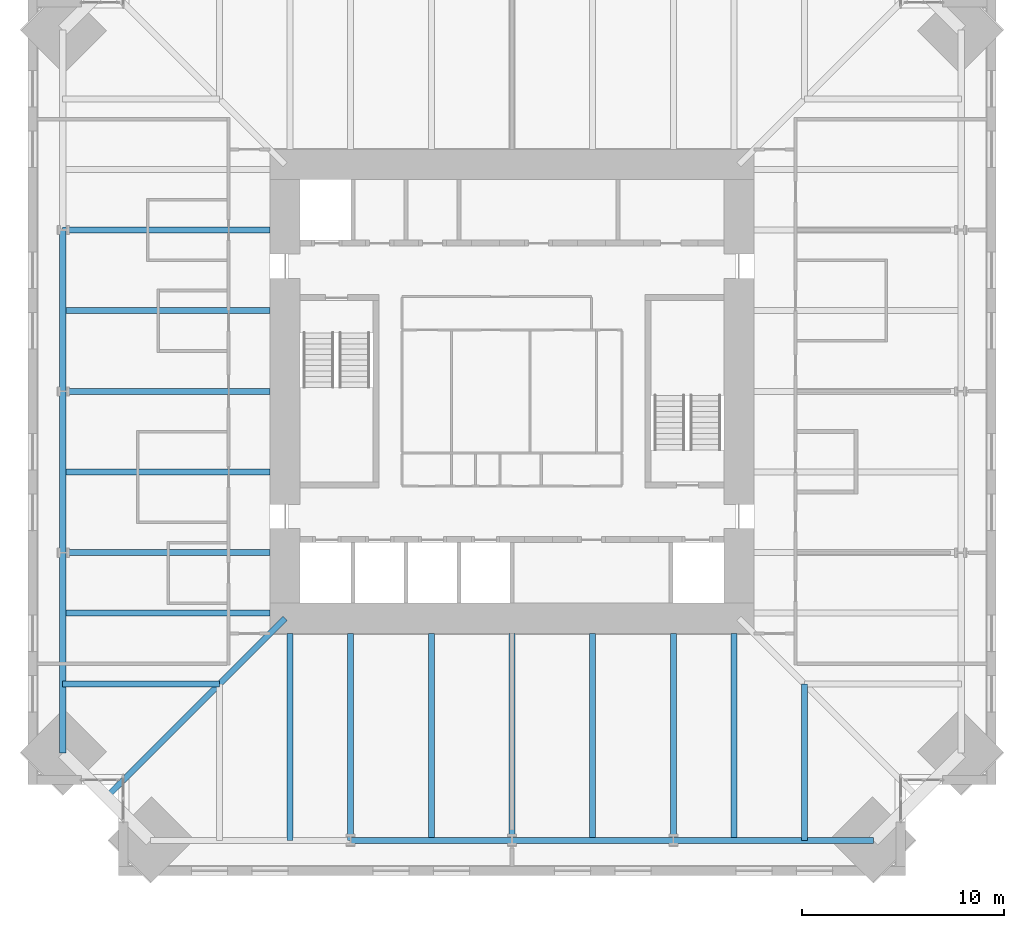
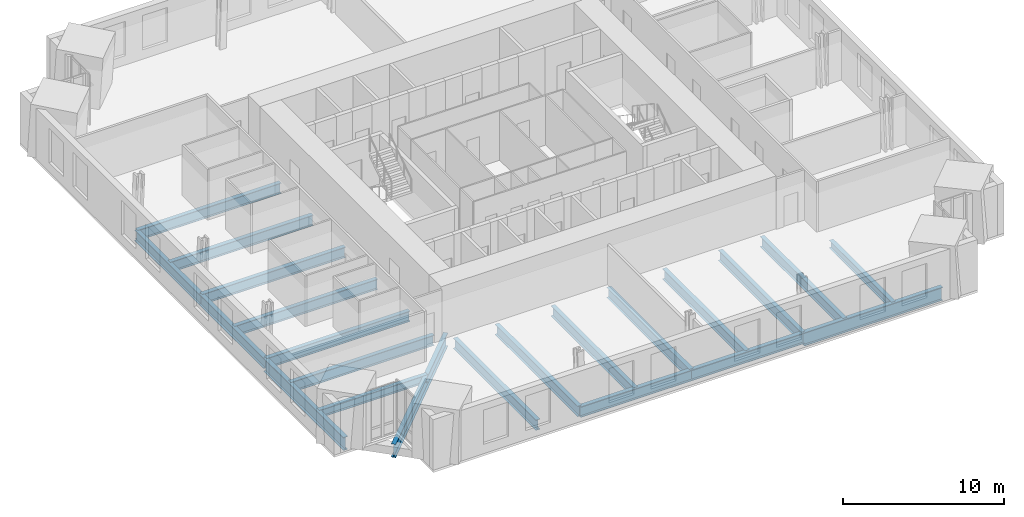
# One storey, part 3 of 15: 22 beams.
"""IFC4 building model written with IfcOpenShell, lengths in metres."""

from ifc_helpers import new_model, si_unit, direction, frame, origin, origin_2d, place, context, subcontext, project, spatial, i_section, extrude, material, material_profile, profile_set, type_object, element, save


model = new_model("IFC4")

# Units and contexts
model_context = context("Model", 3, precision=1e-05, world=origin(), true_north=direction((0.0, 1.0)))
body_context = subcontext(model_context, "Body", "Model", "MODEL_VIEW")
ifc_project = project(units=[si_unit("LENGTHUNIT", "METRE"), si_unit("AREAUNIT", "SQUARE_METRE"), si_unit("VOLUMEUNIT", "CUBIC_METRE"), si_unit("PLANEANGLEUNIT", "RADIAN"), si_unit("MASSUNIT", "GRAM", prefix="KILO")], contexts=[model_context])

# Site, building, storey
site_placement = place(None, origin())
site = spatial("IfcSite", under=ifc_project, at=site_placement, CompositionType="ELEMENT")
building_placement = place(site_placement, origin())
building = spatial("IfcBuilding", under=site, at=building_placement, Name="Peilmerk Tower", CompositionType="ELEMENT")
storey_placement = place(building_placement, frame((0.0, 0.0, 213.800048828125)))
storey = spatial("IfcBuildingStorey", under=building, at=storey_placement, Name="L46", CompositionType="ELEMENT", Elevation=213.800048828125)

# Beams
ifc_material = material(Name="Steel S355", Category="steel")
ifc_material_profile_1 = material_profile(ifc_material, i_section(OverallWidth=0.302001953125, OverallDepth=1.008056640625, WebThickness=0.02099609375, FlangeThickness=0.0400390625, at=origin_2d()), Name="HEM 1000")
ifc_profile_set_1 = profile_set([ifc_material_profile_1], Name="Steel S355")
beam_type_1 = type_object("IfcBeamType", Name="B1 HEM 1000 edge beam", PredefinedType="SPANDREL", material=ifc_profile_set_1)
for number, where, z_axis, x_axis, name in (
    (1, (8.0, -22.27587890625, -0.674072265625), (1.0, 0.0, 0.0), (0.0, 1.0, 0.0), "Edge beam L46"),
    (2, (-22.27587890625, -8.0, -0.674072265625), (0.0, -1.0, 0.0), (1.0, 0.0, 0.0), "Edge beam L46"),
):
    element("IfcBeam", number, at=place(storey_placement, frame(where, z_axis=z_axis, x_axis=x_axis)), inside=storey, type_object=beam_type_1, Name=name, PredefinedType="SPANDREL", context=body_context, shape_type="SweptSolid", body=[
        extrude(i_section(OverallWidth=0.302001953125, OverallDepth=1.008056640625, WebThickness=0.02099609375, FlangeThickness=0.0400390625, at=origin_2d()), origin(), (0.0, 0.0, 1.0), 9.92578125),
    ])
ifc_material_profile_2 = material_profile(ifc_material, i_section(OverallWidth=0.302978515625, OverallDepth=0.81396484375, WebThickness=0.02099609375, FlangeThickness=0.0400390625, at=origin_2d()), Name="HEM 800")
ifc_profile_set_2 = profile_set([ifc_material_profile_2], Name="Steel S355")
beam_type_2 = type_object("IfcBeamType", Name="B15 HEM 800 edge beam", PredefinedType="SPANDREL", material=ifc_profile_set_2)
for number, where, z_axis, x_axis, name in (
    (3, (-8.0, -22.27587890625, -0.5771484375), (1.0, 0.0, 0.0), (0.0, 1.0, 0.0), "Edge beam L46"),
    (4, (0.0, -22.27587890625, -0.5771484375), (1.0, 0.0, 0.0), (0.0, 1.0, 0.0), "Edge beam L46"),
    (5, (-22.27587890625, 8.0, -0.5771484375), (0.0, -1.0, 0.0), (1.0, 0.0, 0.0), "Edge beam L46"),
    (6, (-22.27587890625, 0.0, -0.5771484375), (0.0, -1.0, 0.0), (1.0, 0.0, 0.0), "Edge beam L46"),
):
    element("IfcBeam", number, at=place(storey_placement, frame(where, z_axis=z_axis, x_axis=x_axis)), inside=storey, type_object=beam_type_2, Name=name, PredefinedType="SPANDREL", context=body_context, shape_type="SweptSolid", body=[
        extrude(i_section(OverallWidth=0.302978515625, OverallDepth=0.81396484375, WebThickness=0.02099609375, FlangeThickness=0.0400390625, at=origin_2d()), origin(), (0.0, 0.0, 1.0), 8.0),
    ])
ifc_material_profile_3 = material_profile(ifc_material, i_section(OverallWidth=0.302001953125, OverallDepth=1.008056640625, WebThickness=0.02099609375, FlangeThickness=0.0400390625, at=origin_2d()), Name="HEM 1000")
ifc_profile_set_3 = profile_set([ifc_material_profile_3], Name="Steel S355")
beam_type_3 = type_object("IfcBeamType", Name="B24 HEM 1000 floor girder", PredefinedType="BEAM", material=ifc_profile_set_3)
beam_placement = place(storey_placement, frame((-11.25, -11.25, -0.674072265625), z_axis=(-0.707106781187, -0.707106781187, 0.0), x_axis=(0.707106781187, -0.707106781187, 0.0)))
element("IfcBeam", 7, at=beam_placement, inside=storey, type_object=beam_type_3, Name="Corner girder L46", PredefinedType="BEAM", context=body_context, shape_type="SweptSolid", body=[
    extrude(i_section(OverallWidth=0.302001953125, OverallDepth=1.008056640625, WebThickness=0.02099609375, FlangeThickness=0.0400390625, at=origin_2d()), origin(), (0.0, 0.0, 1.0), 12.516845703125),
])
ifc_material_profile_4 = material_profile(ifc_material, i_section(OverallWidth=0.300048828125, OverallDepth=0.590087890625, WebThickness=0.012939453125, FlangeThickness=0.02490234375, at=origin_2d()), Name="HEA 600")
ifc_profile_set_4 = profile_set([ifc_material_profile_4], Name="Steel S355")
beam_type_4 = type_object("IfcBeamType", Name="B27 HEA 600 floor beam", PredefinedType="BEAM", material=ifc_profile_set_4)
for number, where, z_axis, x_axis, name in (
    (8, (14.5, -14.5, -0.465087890625), (0.0, -1.0, 0.0), (1.0, 0.0, 0.0), "Floor beam L46"),
    (9, (-14.5, -14.5, -0.465087890625), (-1.0, 0.0, 0.0), (0.0, -1.0, 0.0), "Floor beam L46"),
):
    element("IfcBeam", number, at=place(storey_placement, frame(where, z_axis=z_axis, x_axis=x_axis)), inside=storey, type_object=beam_type_4, Name=name, PredefinedType="BEAM", context=body_context, shape_type="SweptSolid", body=[
        extrude(i_section(OverallWidth=0.300048828125, OverallDepth=0.590087890625, WebThickness=0.012939453125, FlangeThickness=0.02490234375, at=origin_2d()), origin(), (0.0, 0.0, 1.0), 7.77587890625),
    ])
ifc_material_profile_5 = material_profile(ifc_material, i_section(OverallWidth=0.300048828125, OverallDepth=0.7900390625, WebThickness=0.014892578125, FlangeThickness=0.028076171875, at=origin_2d()), Name="HEA 800")
ifc_profile_set_5 = profile_set([ifc_material_profile_5], Name="Steel S355")
beam_type_5 = type_object("IfcBeamType", Name="B3 HEA 800 floor beam", PredefinedType="BEAM", material=ifc_profile_set_5)
for number, where, z_axis, x_axis, name in (
    (10, (-11.0, -12.0, -0.56494140625), (0.0, -1.0, 0.0), (1.0, 0.0, 0.0), "Floor beam L46"),
    (11, (-8.0, -12.0, -0.56494140625), (0.0, -1.0, 0.0), (1.0, 0.0, 0.0), "Floor beam L46"),
    (12, (-4.0, -12.0, -0.56494140625), (0.0, -1.0, 0.0), (1.0, 0.0, 0.0), "Floor beam L46"),
    (13, (0.0, -12.0, -0.56494140625), (0.0, -1.0, 0.0), (1.0, 0.0, 0.0), "Floor beam L46"),
    (14, (4.0, -12.0, -0.56494140625), (0.0, -1.0, 0.0), (1.0, 0.0, 0.0), "Floor beam L46"),
    (15, (8.0, -12.0, -0.56494140625), (0.0, -1.0, 0.0), (1.0, 0.0, 0.0), "Floor beam L46"),
    (16, (11.0, -12.0, -0.56494140625), (0.0, -1.0, 0.0), (1.0, 0.0, 0.0), "Floor beam L46"),
    (17, (-12.0, 8.0, -0.56494140625), (-1.0, 0.0, 0.0), (0.0, -1.0, 0.0), "Floor beam L46"),
    (18, (-12.0, 4.0, -0.56494140625), (-1.0, 0.0, 0.0), (0.0, -1.0, 0.0), "Floor beam L46"),
    (19, (-12.0, 0.0, -0.56494140625), (-1.0, 0.0, 0.0), (0.0, -1.0, 0.0), "Floor beam L46"),
    (20, (-12.0, -4.0, -0.56494140625), (-1.0, 0.0, 0.0), (0.0, -1.0, 0.0), "Floor beam L46"),
    (21, (-12.0, -8.0, -0.56494140625), (-1.0, 0.0, 0.0), (0.0, -1.0, 0.0), "Floor beam L46"),
    (22, (-12.0, -11.0, -0.56494140625), (-1.0, 0.0, 0.0), (0.0, -1.0, 0.0), "Floor beam L46"),
):
    element("IfcBeam", number, at=place(storey_placement, frame(where, z_axis=z_axis, x_axis=x_axis)), inside=storey, type_object=beam_type_5, Name=name, PredefinedType="BEAM", context=body_context, shape_type="SweptSolid", body=[
        extrude(i_section(OverallWidth=0.300048828125, OverallDepth=0.7900390625, WebThickness=0.014892578125, FlangeThickness=0.028076171875, at=origin_2d()), origin(), (0.0, 0.0, 1.0), 10.27587890625),
    ])

save(model, "model.ifc")
